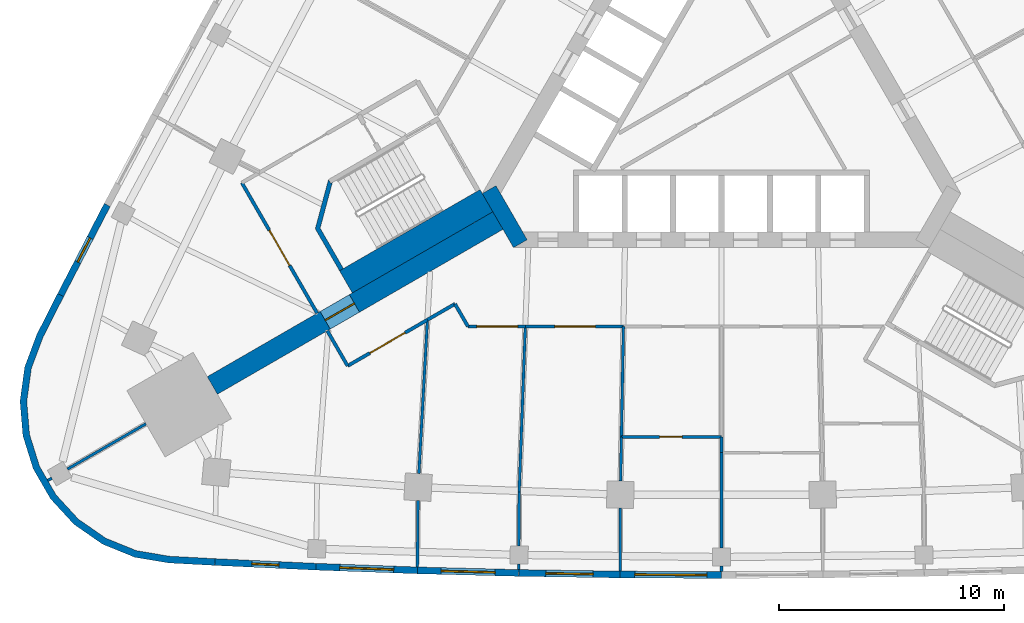
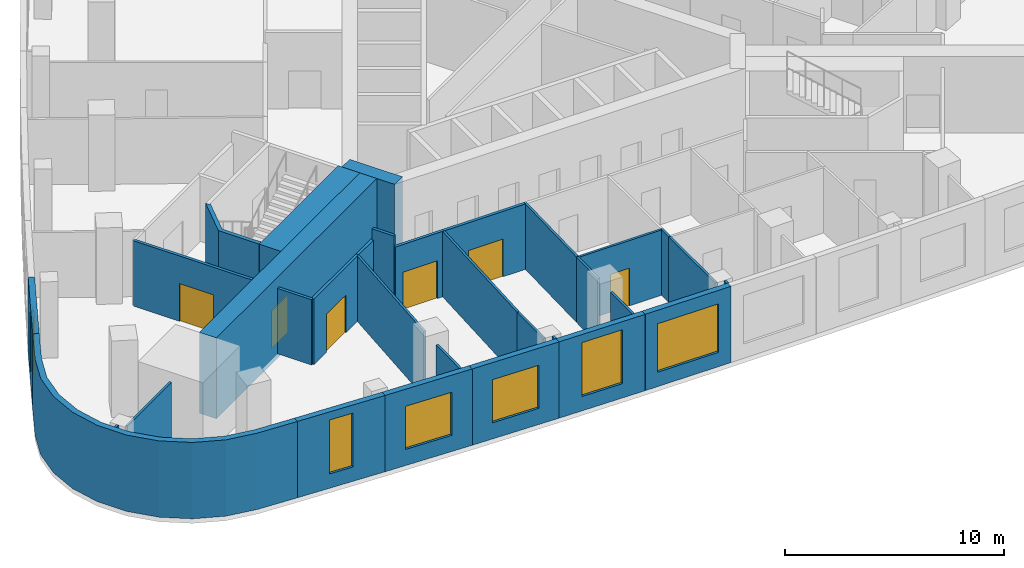
# One storey, part 4 of 11: 32 walls, 6 doors, 6 windows, 12 openings.
"""IFC4 building model written with IfcOpenShell, lengths in metres."""

from ifc_helpers import new_model, si_unit, direction, frame, frame_2d, origin, place, context, subcontext, project, spatial, polyline, rectangle, outline, extrude, material, layer, layer_set, type_object, element, fill, save


model = new_model("IFC4")

# Units and contexts
model_context = context("Model", 3, precision=1e-05, world=origin(), true_north=direction((0.0, 1.0)))
body_context = subcontext(model_context, "Body", "Model", "MODEL_VIEW")
ifc_project = project(units=[si_unit("LENGTHUNIT", "METRE"), si_unit("AREAUNIT", "SQUARE_METRE"), si_unit("VOLUMEUNIT", "CUBIC_METRE"), si_unit("PLANEANGLEUNIT", "RADIAN"), si_unit("MASSUNIT", "GRAM", prefix="KILO")], contexts=[model_context])

# Site, building, storey
site_placement = place(None, origin())
site = spatial("IfcSite", under=ifc_project, at=site_placement, CompositionType="ELEMENT")
building_placement = place(site_placement, origin())
building = spatial("IfcBuilding", under=site, at=building_placement, Name="Noor Cloister Tower", CompositionType="ELEMENT")
storey_placement = place(building_placement, frame((0.0, 0.0, 15.0)))
storey = spatial("IfcBuildingStorey", under=building, at=storey_placement, Name="L03", CompositionType="ELEMENT", Elevation=15.0)

# Wall, opening, door
ifc_material_1 = material(Name="Concrete C80/95", Category="concrete")
ifc_layer_1 = layer(ifc_material_1, 0.89990234375)
ifc_layer_set_1 = layer_set([ifc_layer_1], Name="Buttress wall 900 C80/95")
wall_type_1 = type_object("IfcWallType", Name="Buttress wall 900 C80/95", PredefinedType="SHEAR", material=ifc_layer_set_1)
wall_1_placement = place(storey_placement, frame((-9.921630859375, -5.728271484375, -0.25), z_axis=(0.0, 0.0, 1.0), x_axis=(-0.866028046028, -0.499995423472, 0.0)))
wall_1 = element("IfcWall", 1, at=wall_1_placement, inside=storey, type_object=wall_type_1, Name="Buttress wall SW L03", PredefinedType="SHEAR", context=body_context, shape_type="SweptSolid", body=[
    extrude(rectangle(XDim=14.632568359375, YDim=0.89990234375, at=frame_2d((7.31640625, 0.0))), origin(), (0.0, 0.0, 1.0), 4.5),
])
opening_1_placement = place(wall_1_placement, frame((7.35009765625, 0.0, 0.25)))
opening_1 = element("IfcOpeningElement", 2, at=opening_1_placement, cuts=wall_1, Name="Opening L03-029", PredefinedType="OPENING", context=body_context, shape_type="SweptSolid", body=[
    extrude(rectangle(XDim=1.5, YDim=2.10009765625, at=frame_2d((0.75, 1.050048828125))), frame((0.0, 0.4599609375, 0.0), z_axis=(0.0, -1.0, 0.0), x_axis=(1.0, 0.0, 0.0)), (0.0, 0.0, 1.0), 0.919921875),
])
ifc_material_2 = material(Name="Steel fire door", Category="steel")
door_type_1 = type_object("IfcDoorType", Name="Smoke barrier door FD60 1500", OperationType="DOUBLE_DOOR_SINGLE_SWING", PredefinedType="DOOR", material=ifc_material_2)
door_1_placement = place(opening_1_placement, origin())
door_1 = element("IfcDoor", 3, at=door_1_placement, inside=storey, type_object=door_type_1, Name="Door L03-029", OperationType="DOUBLE_DOOR_SINGLE_SWING", OverallHeight=2.10009765625, OverallWidth=1.5, PredefinedType="DOOR", context=body_context, shape_type="SweptSolid", body=[
    extrude(rectangle(XDim=1.5, YDim=2.10009765625, at=frame_2d((0.75, 1.050048828125))), frame((0.0, 0.02490234375, 0.0), z_axis=(0.0, -1.0, 0.0), x_axis=(1.0, 0.0, 0.0)), (0.0, 0.0, 1.0), 0.050048828125),
])
fill(opening_1, door_1)

# Wall
ifc_material_3 = material(Name="Concrete C80/95", Category="concrete")
ifc_layer_2 = layer(ifc_material_3, 0.699951171875)
ifc_layer_set_2 = layer_set([ifc_layer_2], Name="Core wall 700 C80/95")
wall_type_2 = type_object("IfcWallType", Name="Core wall 700 C80/95", PredefinedType="SHEAR", material=ifc_layer_set_2)
wall_2_placement = place(storey_placement, frame((-10.311279296875, -4.353271484375, -0.25), z_axis=(0.0, 0.0, 1.0), x_axis=(0.500042739161, -0.866000726912, 0.0)))
element("IfcWall", 4, at=wall_2_placement, inside=storey, type_object=wall_type_2, Name="Core wall L03 6", PredefinedType="SHEAR", context=body_context, shape_type="SweptSolid", body=[
    extrude(rectangle(XDim=2.771240234375, YDim=0.699951171875, at=frame_2d((1.3857421875, 0.0))), origin(), (0.0, 0.0, 1.0), 4.5),
])

# Wall, opening, door
ifc_material_4 = material(Name="Plasterboard on steel studs", Category="steel")
ifc_layer_3 = layer(ifc_material_4, 0.14990234375)
ifc_layer_set_3 = layer_set([ifc_layer_3], Name="Corridor wall 150")
wall_type_3 = type_object("IfcWallType", Name="Corridor wall 150", PredefinedType="PARTITIONING", material=ifc_layer_set_3)
wall_3_placement = place(storey_placement, frame((-13.044921875, -10.1298828125, 0.0), z_axis=(0.0, 0.0, 1.0), x_axis=(-0.866035577775, -0.499982377718, 0.0)))
wall_3 = element("IfcWall", 5, at=wall_3_placement, inside=storey, type_object=wall_type_3, Name="Partition", PredefinedType="PARTITIONING", context=body_context, shape_type="SweptSolid", body=[
    extrude(rectangle(XDim=4.092529296875, YDim=0.14990234375, at=frame_2d((2.04638671875, 0.0))), origin(), (0.0, 0.0, 1.0), 3.637939453125),
])
opening_2_placement = place(wall_3_placement, frame((1.14990234375, 0.0, 0.0)))
opening_2 = element("IfcOpeningElement", 6, at=opening_2_placement, cuts=wall_3, Name="Opening L03-005", PredefinedType="OPENING", context=body_context, shape_type="SweptSolid", body=[
    extrude(rectangle(XDim=1.800048828125, YDim=2.10009765625, at=frame_2d((0.89990234375, 1.050048828125))), frame((0.0, 0.0849609375, 0.0), z_axis=(0.0, -1.0, 0.0), x_axis=(1.0, 0.0, 0.0)), (0.0, 0.0, 1.0), 0.169921875),
])
ifc_material_5 = material(Name="Timber door leaf", Category="wood")
door_type_2 = type_object("IfcDoorType", Name="Double leaf door 1800", OperationType="DOUBLE_DOOR_SINGLE_SWING", PredefinedType="DOOR", material=ifc_material_5)
door_2_placement = place(opening_2_placement, origin())
door_2 = element("IfcDoor", 7, at=door_2_placement, inside=storey, type_object=door_type_2, Name="Door L03-005", OperationType="DOUBLE_DOOR_SINGLE_SWING", OverallHeight=2.10009765625, OverallWidth=1.800048828125, PredefinedType="DOOR", context=body_context, shape_type="SweptSolid", body=[
    extrude(rectangle(XDim=1.800048828125, YDim=2.10009765625, at=frame_2d((0.89990234375, 1.050048828125))), frame((0.0, 0.02490234375, 0.0), z_axis=(0.0, -1.0, 0.0), x_axis=(1.0, 0.0, 0.0)), (0.0, 0.0, 1.0), 0.050048828125),
])
fill(opening_2, door_2)

# Wall
wall_4_placement = place(storey_placement, frame((-16.591064453125, -12.176025390625, 0.0), z_axis=(0.0, 0.0, 1.0), x_axis=(-0.499965372359, 0.866045395139, 0.0)))
element("IfcWall", 8, at=wall_4_placement, inside=storey, type_object=wall_type_3, Name="Partition", PredefinedType="PARTITIONING", context=body_context, shape_type="SweptSolid", body=[
    extrude(rectangle(XDim=1.798095703125, YDim=0.14990234375, at=frame_2d((0.89892578125, 0.0))), origin(), (0.0, 0.0, 1.0), 3.637939453125),
])

# Wall, opening, door
wall_5_placement = place(storey_placement, frame((-4.346923828125, -10.427978515625, 0.0), z_axis=(0.0, 0.0, 1.0), x_axis=(-1.0, 0.0, 0.0)))
wall_5 = element("IfcWall", 9, at=wall_5_placement, inside=storey, type_object=wall_type_3, Name="Partition", PredefinedType="PARTITIONING", context=body_context, shape_type="SweptSolid", body=[
    extrude(rectangle(XDim=4.362060546875, YDim=0.14990234375, at=frame_2d((2.18115234375, 0.0))), origin(), (0.0, 0.0, 1.0), 3.637939453125),
])
opening_3_placement = place(wall_5_placement, frame((1.25, 0.0, 0.0)))
opening_3 = element("IfcOpeningElement", 10, at=opening_3_placement, cuts=wall_5, Name="Opening L03-007", PredefinedType="OPENING", context=body_context, shape_type="SweptSolid", body=[
    extrude(rectangle(XDim=1.800048828125, YDim=2.10009765625, at=frame_2d((0.89990234375, 1.050048828125))), frame((0.0, 0.0849609375, 0.0), z_axis=(0.0, -1.0, 0.0), x_axis=(1.0, 0.0, 0.0)), (0.0, 0.0, 1.0), 0.169921875),
])
door_3_placement = place(opening_3_placement, origin())
door_3 = element("IfcDoor", 11, at=door_3_placement, inside=storey, type_object=door_type_2, Name="Door L03-007", OperationType="DOUBLE_DOOR_SINGLE_SWING", OverallHeight=2.10009765625, OverallWidth=1.800048828125, PredefinedType="DOOR", context=body_context, shape_type="SweptSolid", body=[
    extrude(rectangle(XDim=1.800048828125, YDim=2.10009765625, at=frame_2d((0.89990234375, 1.050048828125))), frame((0.0, 0.02490234375, 0.0), z_axis=(0.0, -1.0, 0.0), x_axis=(1.0, 0.0, 0.0)), (0.0, 0.0, 1.0), 0.050048828125),
])
fill(opening_3, door_3)

wall_6_placement = place(storey_placement, frame((-8.700927734375, -10.427978515625, 0.0), z_axis=(0.0, 0.0, 1.0), x_axis=(-1.0, 0.0, 0.0)))
wall_6 = element("IfcWall", 12, at=wall_6_placement, inside=storey, type_object=wall_type_3, Name="Partition", PredefinedType="PARTITIONING", context=body_context, shape_type="SweptSolid", body=[
    extrude(rectangle(XDim=2.548095703125, YDim=0.14990234375, at=frame_2d((1.27392578125, 0.0))), origin(), (0.0, 0.0, 1.0), 3.637939453125),
])
opening_4_placement = place(wall_6_placement, frame((0.35009765625, 0.0, 0.0)))
opening_4 = element("IfcOpeningElement", 13, at=opening_4_placement, cuts=wall_6, Name="Opening L03-008", PredefinedType="OPENING", context=body_context, shape_type="SweptSolid", body=[
    extrude(rectangle(XDim=1.800048828125, YDim=2.10009765625, at=frame_2d((0.89990234375, 1.050048828125))), frame((0.0, 0.0849609375, 0.0), z_axis=(0.0, -1.0, 0.0), x_axis=(1.0, 0.0, 0.0)), (0.0, 0.0, 1.0), 0.169921875),
])
door_4_placement = place(opening_4_placement, origin())
door_4 = element("IfcDoor", 14, at=door_4_placement, inside=storey, type_object=door_type_2, Name="Door L03-008", OperationType="DOUBLE_DOOR_SINGLE_SWING", OverallHeight=2.10009765625, OverallWidth=1.800048828125, PredefinedType="DOOR", context=body_context, shape_type="SweptSolid", body=[
    extrude(rectangle(XDim=1.800048828125, YDim=2.10009765625, at=frame_2d((0.89990234375, 1.050048828125))), frame((0.0, 0.02490234375, 0.0), z_axis=(0.0, -1.0, 0.0), x_axis=(1.0, 0.0, 0.0)), (0.0, 0.0, 1.0), 0.050048828125),
])
fill(opening_4, door_4)

# Walls
wall_7_placement = place(storey_placement, frame((-11.2490234375, -10.427978515625, 0.0), z_axis=(0.0, 0.0, 1.0), x_axis=(-0.499978438088, 0.866037852202, 0.0)))
element("IfcWall", 15, at=wall_7_placement, inside=storey, type_object=wall_type_3, Name="Partition", PredefinedType="PARTITIONING", context=body_context, shape_type="SweptSolid", body=[
    extrude(rectangle(XDim=1.15576171875, YDim=0.14990234375, at=frame_2d((0.577880859375, 0.0))), origin(), (0.0, 0.0, 1.0), 4.25),
])
wall_8_placement = place(storey_placement, frame((-11.827880859375, -9.427001953125, 0.0), z_axis=(0.0, 0.0, 1.0), x_axis=(-0.866110865696, -0.499851946404, 0.0)))
element("IfcWall", 16, at=wall_8_placement, inside=storey, type_object=wall_type_3, Name="Partition", PredefinedType="PARTITIONING", context=body_context, shape_type="SweptSolid", body=[
    extrude(rectangle(XDim=1.41455078125, YDim=0.14990234375, at=frame_2d((0.707275390625, 0.0))), origin(), (0.0, 0.0, 1.0), 3.637939453125),
])

# Wall, opening, door
wall_9_placement = place(storey_placement, frame((-17.94091796875, -9.837890625, 0.0), z_axis=(0.0, 0.0, 1.0), x_axis=(-0.500048140185, 0.865997608252, 0.0)))
wall_9 = element("IfcWall", 17, at=wall_9_placement, inside=storey, type_object=wall_type_3, Name="Partition", PredefinedType="PARTITIONING", context=body_context, shape_type="SweptSolid", body=[
    extrude(rectangle(XDim=6.683349609375, YDim=0.14990234375, at=frame_2d((3.341796875, 0.0))), origin(), (0.0, 0.0, 1.0), 3.637939453125),
])
opening_5_placement = place(wall_9_placement, frame((2.449951171875, 0.0, 0.0)))
opening_5 = element("IfcOpeningElement", 18, at=opening_5_placement, cuts=wall_9, Name="Opening L03-012", PredefinedType="OPENING", context=body_context, shape_type="SweptSolid", body=[
    extrude(rectangle(XDim=1.800048828125, YDim=2.10009765625, at=frame_2d((0.89990234375, 1.050048828125))), frame((0.0, 0.0849609375, 0.0), z_axis=(0.0, -1.0, 0.0), x_axis=(1.0, 0.0, 0.0)), (0.0, 0.0, 1.0), 0.169921875),
])
door_5_placement = place(opening_5_placement, origin())
door_5 = element("IfcDoor", 19, at=door_5_placement, inside=storey, type_object=door_type_2, Name="Door L03-012", OperationType="DOUBLE_DOOR_SINGLE_SWING", OverallHeight=2.10009765625, OverallWidth=1.800048828125, PredefinedType="DOOR", context=body_context, shape_type="SweptSolid", body=[
    extrude(rectangle(XDim=1.800048828125, YDim=2.10009765625, at=frame_2d((0.89990234375, 1.050048828125))), frame((0.0, 0.02490234375, 0.0), z_axis=(0.0, -1.0, 0.0), x_axis=(1.0, 0.0, 0.0)), (0.0, 0.0, 1.0), 0.050048828125),
])
fill(opening_5, door_5)

# Wall
ifc_material_6 = material(Name="Limestone", Category="masonry")
ifc_layer_4 = layer(ifc_material_6, 0.300048828125)
ifc_layer_set_4 = layer_set([ifc_layer_4], Name="Limestone cladding 300")
wall_type_4 = type_object("IfcWallType", Name="Limestone cladding 300", PredefinedType="NOTDEFINED", material=ifc_layer_set_4)
wall_10_placement = place(storey_placement, origin())
element("IfcWall", 20, at=wall_10_placement, inside=storey, type_object=wall_type_4, Name="Limestone pier cladding L03 1.1", PredefinedType="NOTDEFINED", context=body_context, shape_type="SweptSolid", body=[
    extrude(outline(polyline([(-29.457275390625, -8.962158203125), (-30.378662109375, -10.7763671875), (-30.917236328125, -12.2177734375), (-31.127685546875, -13.7421875), (-31.0, -15.275634765625), (-30.540283203125, -16.744140625), (-29.77099609375, -18.07666015625), (-28.72900390625, -19.208984375), (-27.46484375, -20.086181640625), (-26.03955078125, -20.666259765625), (-24.52197265625, -20.920654296875), (-22.490234375, -21.02978515625), (-22.47412109375, -20.730224609375), (-24.489013671875, -20.621826171875), (-25.95703125, -20.375732421875), (-27.321044921875, -19.82080078125), (-28.53076171875, -18.9814453125), (-29.52783203125, -17.89794921875), (-30.263916015625, -16.622802734375), (-30.70361328125, -15.217529296875), (-30.825927734375, -13.750244140625), (-30.62451171875, -12.291748046875), (-30.103515625, -10.89697265625), (-29.18994140625, -9.097900390625), (-29.457275390625, -8.962158203125)])), origin(), (0.0, 0.0, 1.0), 4.25),
])

# Wall, opening, window
ifc_material_7 = material(Name="Limestone", Category="masonry")
ifc_layer_5 = layer(ifc_material_7, 0.300048828125)
ifc_layer_set_5 = layer_set([ifc_layer_5], Name="Limestone panel wall 300")
wall_type_5 = type_object("IfcWallType", Name="Limestone panel wall 300", PredefinedType="NOTDEFINED", material=ifc_layer_set_5)
wall_11_placement = place(storey_placement, frame((-29.3232421875, -9.029296875, 0.0), z_axis=(0.0, 0.0, 1.0), x_axis=(0.459443600121, 0.888206945654, 0.0)))
wall_11 = element("IfcWall", 21, at=wall_11_placement, inside=storey, type_object=wall_type_5, Name="Limestone wall L03 NW 10", PredefinedType="NOTDEFINED", context=body_context, shape_type="SweptSolid", body=[
    extrude(rectangle(XDim=4.49609375, YDim=0.300048828125, at=frame_2d((2.248046875, 0.0))), origin(), (0.0, 0.0, 1.0), 4.25),
])
opening_6_placement = place(wall_11_placement, frame((1.64794921875, 0.0, 0.800048828125)))
opening_6 = element("IfcOpeningElement", 22, at=opening_6_placement, cuts=wall_11, Name="Opening L03-W10", PredefinedType="OPENING", context=body_context, shape_type="SweptSolid", body=[
    extrude(rectangle(XDim=1.199951171875, YDim=3.0, at=frame_2d((0.60009765625, 1.5))), frame((0.0, 0.16015625, 0.0), z_axis=(0.0, -1.0, 0.0), x_axis=(1.0, 0.0, 0.0)), (0.0, 0.0, 1.0), 0.320068359375),
])
ifc_material_8 = material(Name="Aluminium 6063-T6 anodised", Category="aluminium")
window_type_1 = type_object("IfcWindowType", Name="Lancet window 1200 x 3000", PartitioningType="SINGLE_PANEL", PredefinedType="WINDOW", material=ifc_material_8)
window_1_placement = place(opening_6_placement, origin())
window_1 = element("IfcWindow", 23, at=window_1_placement, inside=storey, type_object=window_type_1, Name="Window L03 10", OverallHeight=3.0, OverallWidth=1.199951171875, PartitioningType="SINGLE_PANEL", PredefinedType="WINDOW", context=body_context, shape_type="SweptSolid", body=[
    extrude(rectangle(XDim=1.199951171875, YDim=3.0, at=frame_2d((0.60009765625, 1.5))), frame((0.0, 0.030029296875, 0.0), z_axis=(0.0, -1.0, 0.0), x_axis=(1.0, 0.0, 0.0)), (0.0, 0.0, 1.0), 0.06005859375),
])
fill(opening_6, window_1)

wall_12_placement = place(storey_placement, frame((-17.989990234375, -21.087646484375, 0.0), z_axis=(0.0, 0.0, 1.0), x_axis=(-0.998931717866, 0.046210637742, 0.0)))
wall_12 = element("IfcWall", 24, at=wall_12_placement, inside=storey, type_object=wall_type_5, Name="Limestone wall L03 S 1", PredefinedType="NOTDEFINED", context=body_context, shape_type="SweptSolid", body=[
    extrude(rectangle(XDim=4.49609375, YDim=0.300048828125, at=frame_2d((2.248046875, 0.0))), origin(), (0.0, 0.0, 1.0), 4.25),
])
opening_7_placement = place(wall_12_placement, frame((1.64794921875, 0.0, 0.800048828125)))
opening_7 = element("IfcOpeningElement", 25, at=opening_7_placement, cuts=wall_12, Name="Opening L03-W11", PredefinedType="OPENING", context=body_context, shape_type="SweptSolid", body=[
    extrude(rectangle(XDim=1.199951171875, YDim=3.0, at=frame_2d((0.60009765625, 1.5))), frame((0.0, 0.16015625, 0.0), z_axis=(0.0, -1.0, 0.0), x_axis=(1.0, 0.0, 0.0)), (0.0, 0.0, 1.0), 0.320068359375),
])
window_2_placement = place(opening_7_placement, origin())
window_2 = element("IfcWindow", 26, at=window_2_placement, inside=storey, type_object=window_type_1, Name="Window L03 11", OverallHeight=3.0, OverallWidth=1.199951171875, PartitioningType="SINGLE_PANEL", PredefinedType="WINDOW", context=body_context, shape_type="SweptSolid", body=[
    extrude(rectangle(XDim=1.199951171875, YDim=3.0, at=frame_2d((0.60009765625, 1.5))), frame((0.0, 0.030029296875, 0.0), z_axis=(0.0, -1.0, 0.0), x_axis=(1.0, 0.0, 0.0)), (0.0, 0.0, 1.0), 0.06005859375),
])
fill(opening_7, window_2)

wall_13_placement = place(storey_placement, frame((-13.494384765625, -21.249267578125, 0.0), z_axis=(0.0, 0.0, 1.0), x_axis=(-0.999355640029, 0.035892962294, 0.0)))
wall_13 = element("IfcWall", 27, at=wall_13_placement, inside=storey, type_object=wall_type_5, Name="Limestone wall L03 S 2", PredefinedType="NOTDEFINED", context=body_context, shape_type="SweptSolid", body=[
    extrude(rectangle(XDim=4.49609375, YDim=0.300048828125, at=frame_2d((2.248046875, 0.0))), origin(), (0.0, 0.0, 1.0), 4.25),
])
opening_8_placement = place(wall_13_placement, frame((1.048095703125, 0.0, 0.89990234375)))
opening_8 = element("IfcOpeningElement", 28, at=opening_8_placement, cuts=wall_13, Name="Opening L03-W12", PredefinedType="OPENING", context=body_context, shape_type="SweptSolid", body=[
    extrude(rectangle(XDim=2.39990234375, YDim=2.39990234375, at=frame_2d((1.199951171875, 1.199951171875))), frame((0.0, 0.16015625, 0.0), z_axis=(0.0, -1.0, 0.0), x_axis=(1.0, 0.0, 0.0)), (0.0, 0.0, 1.0), 0.320068359375),
])
ifc_material_9 = material(Name="Aluminium 6063-T6 anodised", Category="aluminium")
window_type_2 = type_object("IfcWindowType", Name="Clinic window 2400 x 2400", PartitioningType="DOUBLE_PANEL_VERTICAL", PredefinedType="WINDOW", material=ifc_material_9)
window_3_placement = place(opening_8_placement, origin())
window_3 = element("IfcWindow", 29, at=window_3_placement, inside=storey, type_object=window_type_2, Name="Window L03 12", OverallHeight=2.39990234375, OverallWidth=2.39990234375, PartitioningType="DOUBLE_PANEL_VERTICAL", PredefinedType="WINDOW", context=body_context, shape_type="SweptSolid", body=[
    extrude(rectangle(XDim=2.39990234375, YDim=2.39990234375, at=frame_2d((1.199951171875, 1.199951171875))), frame((0.0, 0.030029296875, 0.0), z_axis=(0.0, -1.0, 0.0), x_axis=(1.0, 0.0, 0.0)), (0.0, 0.0, 1.0), 0.06005859375),
])
fill(opening_8, window_3)

wall_14_placement = place(storey_placement, frame((-8.99755859375, -21.36474609375, 0.0), z_axis=(0.0, 0.0, 1.0), x_axis=(-0.999671466587, 0.025631209312, 0.0)))
wall_14 = element("IfcWall", 30, at=wall_14_placement, inside=storey, type_object=wall_type_5, Name="Limestone wall L03 S 3", PredefinedType="NOTDEFINED", context=body_context, shape_type="SweptSolid", body=[
    extrude(rectangle(XDim=4.495849609375, YDim=0.300048828125, at=frame_2d((2.248046875, 0.0))), origin(), (0.0, 0.0, 1.0), 4.25),
])
opening_9_placement = place(wall_14_placement, frame((1.048095703125, 0.0, 0.89990234375)))
opening_9 = element("IfcOpeningElement", 31, at=opening_9_placement, cuts=wall_14, Name="Opening L03-W13", PredefinedType="OPENING", context=body_context, shape_type="SweptSolid", body=[
    extrude(rectangle(XDim=2.39990234375, YDim=2.39990234375, at=frame_2d((1.199951171875, 1.199951171875))), frame((0.0, 0.16015625, 0.0), z_axis=(0.0, -1.0, 0.0), x_axis=(1.0, 0.0, 0.0)), (0.0, 0.0, 1.0), 0.320068359375),
])
window_4_placement = place(opening_9_placement, origin())
window_4 = element("IfcWindow", 32, at=window_4_placement, inside=storey, type_object=window_type_2, Name="Window L03 13", OverallHeight=2.39990234375, OverallWidth=2.39990234375, PartitioningType="DOUBLE_PANEL_VERTICAL", PredefinedType="WINDOW", context=body_context, shape_type="SweptSolid", body=[
    extrude(rectangle(XDim=2.39990234375, YDim=2.39990234375, at=frame_2d((1.199951171875, 1.199951171875))), frame((0.0, 0.030029296875, 0.0), z_axis=(0.0, -1.0, 0.0), x_axis=(1.0, 0.0, 0.0)), (0.0, 0.0, 1.0), 0.06005859375),
])
fill(opening_9, window_4)

wall_15_placement = place(storey_placement, frame((-4.49951171875, -21.43408203125, 0.0), z_axis=(0.0, 0.0, 1.0), x_axis=(-0.999881921814, 0.015366926462, 0.0)))
wall_15 = element("IfcWall", 33, at=wall_15_placement, inside=storey, type_object=wall_type_5, Name="Limestone wall L03 S 4", PredefinedType="NOTDEFINED", context=body_context, shape_type="SweptSolid", body=[
    extrude(rectangle(XDim=4.49609375, YDim=0.300048828125, at=frame_2d((2.248046875, 0.0))), origin(), (0.0, 0.0, 1.0), 4.25),
])
opening_10_placement = place(wall_15_placement, frame((1.197998046875, 0.0, 0.800048828125)))
opening_10 = element("IfcOpeningElement", 34, at=opening_10_placement, cuts=wall_15, Name="Opening L03-W14", PredefinedType="OPENING", context=body_context, shape_type="SweptSolid", body=[
    extrude(rectangle(XDim=2.10009765625, YDim=3.0, at=frame_2d((1.050048828125, 1.5))), frame((0.0, 0.16015625, 0.0), z_axis=(0.0, -1.0, 0.0), x_axis=(1.0, 0.0, 0.0)), (0.0, 0.0, 1.0), 0.320068359375),
])
ifc_material_10 = material(Name="Aluminium 6063-T6 anodised", Category="aluminium")
window_type_3 = type_object("IfcWindowType", Name="Therapy window 2100 x 3000", PartitioningType="DOUBLE_PANEL_HORIZONTAL", PredefinedType="WINDOW", material=ifc_material_10)
window_5_placement = place(opening_10_placement, origin())
window_5 = element("IfcWindow", 35, at=window_5_placement, inside=storey, type_object=window_type_3, Name="Window L03 14", OverallHeight=3.0, OverallWidth=2.10009765625, PartitioningType="DOUBLE_PANEL_HORIZONTAL", PredefinedType="WINDOW", context=body_context, shape_type="SweptSolid", body=[
    extrude(rectangle(XDim=2.10009765625, YDim=3.0, at=frame_2d((1.050048828125, 1.5))), frame((0.0, 0.030029296875, 0.0), z_axis=(0.0, -1.0, 0.0), x_axis=(1.0, 0.0, 0.0)), (0.0, 0.0, 1.0), 0.06005859375),
])
fill(opening_10, window_5)

wall_16_placement = place(storey_placement, frame((-0.001220703125, -21.457275390625, 0.0), z_axis=(0.0, 0.0, 1.0), x_axis=(-0.999986693461, 0.005158769258, 0.0)))
wall_16 = element("IfcWall", 36, at=wall_16_placement, inside=storey, type_object=wall_type_5, Name="Limestone wall L03 S 5", PredefinedType="NOTDEFINED", context=body_context, shape_type="SweptSolid", body=[
    extrude(rectangle(XDim=4.495849609375, YDim=0.300048828125, at=frame_2d((2.248046875, 0.0))), origin(), (0.0, 0.0, 1.0), 4.25),
])
opening_11_placement = place(wall_16_placement, frame((0.64794921875, 0.0, 0.800048828125)))
opening_11 = element("IfcOpeningElement", 37, at=opening_11_placement, cuts=wall_16, Name="Opening L03-W15", PredefinedType="OPENING", context=body_context, shape_type="SweptSolid", body=[
    extrude(rectangle(XDim=3.199951171875, YDim=2.699951171875, at=frame_2d((1.60009765625, 1.35009765625))), frame((0.0, 0.16015625, 0.0), z_axis=(0.0, -1.0, 0.0), x_axis=(1.0, 0.0, 0.0)), (0.0, 0.0, 1.0), 0.320068359375),
])
ifc_material_11 = material(Name="Aluminium 6063-T6 anodised", Category="aluminium")
window_type_4 = type_object("IfcWindowType", Name="Waiting room window 3200 x 2700", PartitioningType="TRIPLE_PANEL_VERTICAL", PredefinedType="WINDOW", material=ifc_material_11)
window_6_placement = place(opening_11_placement, origin())
window_6 = element("IfcWindow", 38, at=window_6_placement, inside=storey, type_object=window_type_4, Name="Window L03 15", OverallHeight=2.699951171875, OverallWidth=3.199951171875, PartitioningType="TRIPLE_PANEL_VERTICAL", PredefinedType="WINDOW", context=body_context, shape_type="SweptSolid", body=[
    extrude(rectangle(XDim=3.199951171875, YDim=2.699951171875, at=frame_2d((1.60009765625, 1.35009765625))), frame((0.0, 0.030029296875, 0.0), z_axis=(0.0, -1.0, 0.0), x_axis=(1.0, 0.0, 0.0)), (0.0, 0.0, 1.0), 0.06005859375),
])
fill(opening_11, window_6)

# Walls
ifc_material_12 = material(Name="Plasterboard on steel studs", Category="steel")
ifc_layer_6 = layer(ifc_material_12, 0.1201171875)
ifc_layer_set_6 = layer_set([ifc_layer_6], Name="Partition wall 120")
wall_type_6 = type_object("IfcWallType", Name="Partition wall 120", PredefinedType="PARTITIONING", material=ifc_layer_set_6)
wall_17_placement = place(storey_placement, frame((0.0, -21.056884765625, 0.0), z_axis=(0.0, 0.0, 1.0), x_axis=(0.0, -1.0, 0.0)))
element("IfcWall", 39, at=wall_17_placement, inside=storey, type_object=wall_type_6, Name="Partition", PredefinedType="PARTITIONING", context=body_context, shape_type="SweptSolid", body=[
    extrude(rectangle(XDim=0.25, YDim=0.1201171875, at=frame_2d((0.125, 0.0))), origin(), (0.0, 0.0, 1.0), 4.25),
])
wall_18_placement = place(storey_placement, frame((0.0, -16.02392578125, 0.0), z_axis=(0.0, 0.0, 1.0), x_axis=(0.0, -1.0, 0.0)))
element("IfcWall", 40, at=wall_18_placement, inside=storey, type_object=wall_type_6, Name="Partition", PredefinedType="PARTITIONING", context=body_context, shape_type="SweptSolid", body=[
    extrude(rectangle(XDim=4.233154296875, YDim=0.1201171875, at=frame_2d((2.11669921875, 0.0))), origin(), (0.0, 0.0, 1.0), 3.637939453125),
])
wall_19_placement = place(storey_placement, frame((-4.490966796875, -18.491943359375, 0.0), z_axis=(0.0, 0.0, 1.0), x_axis=(-0.00288561233, -0.999995836612, 0.0)))
element("IfcWall", 41, at=wall_19_placement, inside=storey, type_object=wall_type_6, Name="Partition", PredefinedType="PARTITIONING", context=body_context, shape_type="SweptSolid", body=[
    extrude(rectangle(XDim=2.7919921875, YDim=0.1201171875, at=frame_2d((1.39599609375, 0.0))), origin(), (0.0, 0.0, 1.0), 3.633056640625),
])
wall_20_placement = place(storey_placement, frame((-4.44189453125, -15.323974609375, 0.0), z_axis=(0.0, 0.0, 1.0), x_axis=(-0.018366021708, -0.999831330399, 0.0)))
element("IfcWall", 42, at=wall_20_placement, inside=storey, type_object=wall_type_6, Name="Partition", PredefinedType="PARTITIONING", context=body_context, shape_type="SweptSolid", body=[
    extrude(rectangle(XDim=1.96728515625, YDim=0.1201171875, at=frame_2d((0.983642578125, 0.0))), origin(), (0.0, 0.0, 1.0), 3.637939453125),
])
wall_21_placement = place(storey_placement, frame((0.0, -16.028076171875, 0.0), z_axis=(0.0, 0.0, 1.0), x_axis=(0.0, 1.0, 0.0)))
element("IfcWall", 43, at=wall_21_placement, inside=storey, type_object=wall_type_6, Name="Partition", PredefinedType="PARTITIONING", context=body_context, shape_type="SweptSolid", body=[
    extrude(rectangle(XDim=0.7041015625, YDim=0.1201171875, at=frame_2d((0.35205078125, 0.0))), origin(), (0.0, 0.0, 1.0), 3.637939453125),
])

# Wall, opening, door
wall_22_placement = place(storey_placement, frame((0.0, -15.327880859375, 0.0), z_axis=(0.0, 0.0, 1.0), x_axis=(-1.0, 0.0, 0.0)))
wall_22 = element("IfcWall", 44, at=wall_22_placement, inside=storey, type_object=wall_type_6, Name="Partition", PredefinedType="PARTITIONING", context=body_context, shape_type="SweptSolid", body=[
    extrude(rectangle(XDim=4.44189453125, YDim=0.1201171875, at=frame_2d((2.220947265625, 0.0))), origin(), (0.0, 0.0, 1.0), 3.637939453125),
])
opening_12_placement = place(wall_22_placement, frame((1.75, 0.0, 0.0)))
opening_12 = element("IfcOpeningElement", 45, at=opening_12_placement, cuts=wall_22, Name="Opening L03-003", PredefinedType="OPENING", context=body_context, shape_type="SweptSolid", body=[
    extrude(rectangle(XDim=1.0, YDim=2.10009765625, at=frame_2d((0.5, 1.050048828125))), frame((0.0, 0.070068359375, 0.0), z_axis=(0.0, -1.0, 0.0), x_axis=(1.0, 0.0, 0.0)), (0.0, 0.0, 1.0), 0.14013671875),
])
ifc_material_13 = material(Name="Timber door leaf", Category="wood")
door_type_3 = type_object("IfcDoorType", Name="Clinic room door 1000", OperationType="SINGLE_SWING_LEFT", PredefinedType="DOOR", material=ifc_material_13)
door_6_placement = place(opening_12_placement, origin())
door_6 = element("IfcDoor", 46, at=door_6_placement, inside=storey, type_object=door_type_3, Name="Door L03-003", OperationType="SINGLE_SWING_RIGHT", OverallHeight=2.10009765625, OverallWidth=1.0, PredefinedType="DOOR", context=body_context, shape_type="SweptSolid", body=[
    extrude(rectangle(XDim=1.0, YDim=2.10009765625, at=frame_2d((0.5, 1.050048828125))), frame((0.0, 0.02490234375, 0.0), z_axis=(0.0, -1.0, 0.0), x_axis=(1.0, 0.0, 0.0)), (0.0, 0.0, 1.0), 0.050048828125),
])
fill(opening_12, door_6)

# Walls
wall_23_placement = place(storey_placement, frame((-13.4951171875, -21.09912109375, 0.0), z_axis=(0.0, 0.0, 1.0), x_axis=(0.009216581037, 0.999957526415, 0.0)))
element("IfcWall", 47, at=wall_23_placement, inside=storey, type_object=wall_type_6, Name="Partition", PredefinedType="PARTITIONING", context=body_context, shape_type="SweptSolid", body=[
    extrude(rectangle(XDim=2.9404296875, YDim=0.1201171875, at=frame_2d((1.47021484375, 0.0))), origin(), (0.0, 0.0, 1.0), 3.633056640625),
])
wall_24_placement = place(storey_placement, frame((-13.428955078125, -16.9599609375, 0.0), z_axis=(0.0, 0.0, 1.0), x_axis=(0.055551088657, 0.998455846069, 0.0)))
element("IfcWall", 48, at=wall_24_placement, inside=storey, type_object=wall_type_6, Name="Partition", PredefinedType="PARTITIONING", context=body_context, shape_type="SweptSolid", body=[
    extrude(rectangle(XDim=6.83837890625, YDim=0.1201171875, at=frame_2d((3.419189453125, 0.0))), origin(), (0.0, 0.0, 1.0), 3.637939453125),
])
wall_25_placement = place(storey_placement, frame((-29.716064453125, -17.156982421875, 0.0), z_axis=(0.0, 0.0, 1.0), x_axis=(-0.865774595023, -0.500434162116, 0.0)))
element("IfcWall", 49, at=wall_25_placement, inside=storey, type_object=wall_type_6, Name="Partition", PredefinedType="PARTITIONING", context=body_context, shape_type="SweptSolid", body=[
    extrude(rectangle(XDim=0.207763671875, YDim=0.1201171875, at=frame_2d((0.10400390625, 0.0))), origin(), (0.0, 0.0, 1.0), 4.25),
])
wall_26_placement = place(storey_placement, frame((-25.5380859375, -14.7451171875, 0.0), z_axis=(0.0, 0.0, 1.0), x_axis=(-0.866027971625, -0.499995552344, 0.0)))
element("IfcWall", 50, at=wall_26_placement, inside=storey, type_object=wall_type_6, Name="Partition", PredefinedType="PARTITIONING", context=body_context, shape_type="SweptSolid", body=[
    extrude(rectangle(XDim=4.02392578125, YDim=0.1201171875, at=frame_2d((2.011962890625, 0.0))), origin(), (0.0, 0.0, 1.0), 3.717041015625),
])
wall_27_placement = place(storey_placement, frame((-8.99609375, -20.965087890625, 0.0), z_axis=(0.0, 0.0, 1.0), x_axis=(-0.007812261592, -0.999969483819, 0.0)))
element("IfcWall", 51, at=wall_27_placement, inside=storey, type_object=wall_type_6, Name="Partition", PredefinedType="PARTITIONING", context=body_context, shape_type="SweptSolid", body=[
    extrude(rectangle(XDim=0.25, YDim=0.1201171875, at=frame_2d((0.125, 0.0))), origin(), (0.0, 0.0, 1.0), 4.25),
])
wall_28_placement = place(storey_placement, frame((-8.705078125, -10.428955078125, 0.0), z_axis=(0.0, 0.0, 1.0), x_axis=(-0.037170289837, -0.999308945999, 0.0)))
element("IfcWall", 52, at=wall_28_placement, inside=storey, type_object=wall_type_6, Name="Partition", PredefinedType="PARTITIONING", context=body_context, shape_type="SweptSolid", body=[
    extrude(rectangle(XDim=7.34326171875, YDim=0.1201171875, at=frame_2d((3.671630859375, 0.0))), origin(), (0.0, 0.0, 1.0), 3.637939453125),
])
wall_29_placement = place(storey_placement, frame((-8.97802734375, -17.76708984375, 0.0), z_axis=(0.0, 0.0, 1.0), x_axis=(-0.005803200997, -0.999983161287, 0.0)))
element("IfcWall", 53, at=wall_29_placement, inside=storey, type_object=wall_type_6, Name="Partition", PredefinedType="PARTITIONING", context=body_context, shape_type="SweptSolid", body=[
    extrude(rectangle(XDim=2.39794921875, YDim=0.1201171875, at=frame_2d((1.198974609375, 0.0))), origin(), (0.0, 0.0, 1.0), 3.637939453125),
])
wall_30_placement = place(storey_placement, frame((-4.44189453125, -15.326904296875, 0.0), z_axis=(0.0, 0.0, 1.0), x_axis=(0.018539331325, 0.999828131828, 0.0)))
element("IfcWall", 54, at=wall_30_placement, inside=storey, type_object=wall_type_6, Name="Partition", PredefinedType="PARTITIONING", context=body_context, shape_type="SweptSolid", body=[
    extrude(rectangle(XDim=4.898681640625, YDim=0.1201171875, at=frame_2d((2.44921875, 0.0))), origin(), (0.0, 0.0, 1.0), 3.637939453125),
])
ifc_material_14 = material(Name="Concrete C80/95", Category="concrete")
ifc_layer_7 = layer(ifc_material_14, 1.135986328125)
ifc_layer_set_7 = layer_set([ifc_layer_7], Name="Stair enclosure wall 1136 C80/95")
wall_type_7 = type_object("IfcWallType", Name="Stair enclosure wall 1136 C80/95", PredefinedType="SHEAR", material=ifc_layer_set_7)
wall_31_placement = place(storey_placement, frame((-10.430419921875, -4.8466796875, -0.25), z_axis=(0.0, 0.0, 1.0), x_axis=(-0.866018442252, -0.500012057535, 0.0)))
element("IfcWall", 55, at=wall_31_placement, inside=storey, type_object=wall_type_7, Name="Stair enclosure wall ST2 L03 riser side", PredefinedType="SHEAR", context=body_context, shape_type="SweptSolid", body=[
    extrude(rectangle(XDim=7.199951171875, YDim=1.1357421875, at=frame_2d((3.60009765625, 0.0))), origin(), (0.0, 0.0, 1.0), 4.5),
])
ifc_material_15 = material(Name="Concrete C80/95", Category="concrete")
wall_type_8 = type_object("IfcWallType", Name="Stair far end wall C80/95", PredefinedType="SHEAR", material=ifc_material_15)
wall_32_placement = place(storey_placement, frame((0.0, 0.0, -0.25)))
element("IfcWall", 56, at=wall_32_placement, inside=storey, type_object=wall_type_8, Name="Stair enclosure wall ST2 L03 far end", PredefinedType="SHEAR", context=body_context, shape_type="SweptSolid", body=[
    extrude(outline(polyline([(-17.439208984375, -3.907470703125), (-18.024658203125, -6.093017578125), (-16.94970703125, -7.955078125), (-16.776611328125, -7.85498046875), (-17.81005859375, -6.064697265625), (-17.267333984375, -4.039306640625), (-17.339111328125, -4.08056640625), (-17.339111328125, -4.08056640625), (-17.339111328125, -4.08056640625), (-17.339111328125, -4.08056640625), (-17.339111328125, -4.08056640625), (-17.339111328125, -4.08056640625), (-17.339111328125, -4.08056640625), (-17.339111328125, -4.08056640625), (-17.339111328125, -4.08056640625), (-17.339111328125, -4.08056640625), (-17.339111328125, -4.08056640625), (-17.339111328125, -4.08056640625), (-17.339111328125, -4.08056640625), (-17.339111328125, -4.08056640625), (-17.339111328125, -4.08056640625), (-17.339111328125, -4.08056640625), (-17.339111328125, -4.08056640625), (-17.439208984375, -3.907470703125)])), origin(), (0.0, 0.0, 1.0), 4.5),
])

save(model, "model.ifc")
